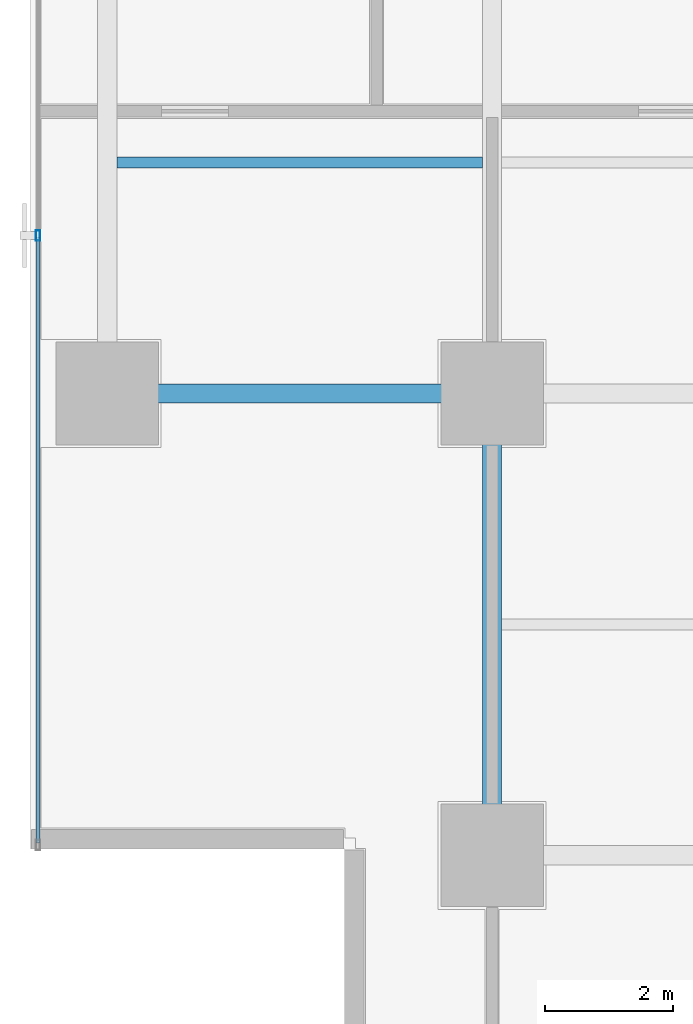
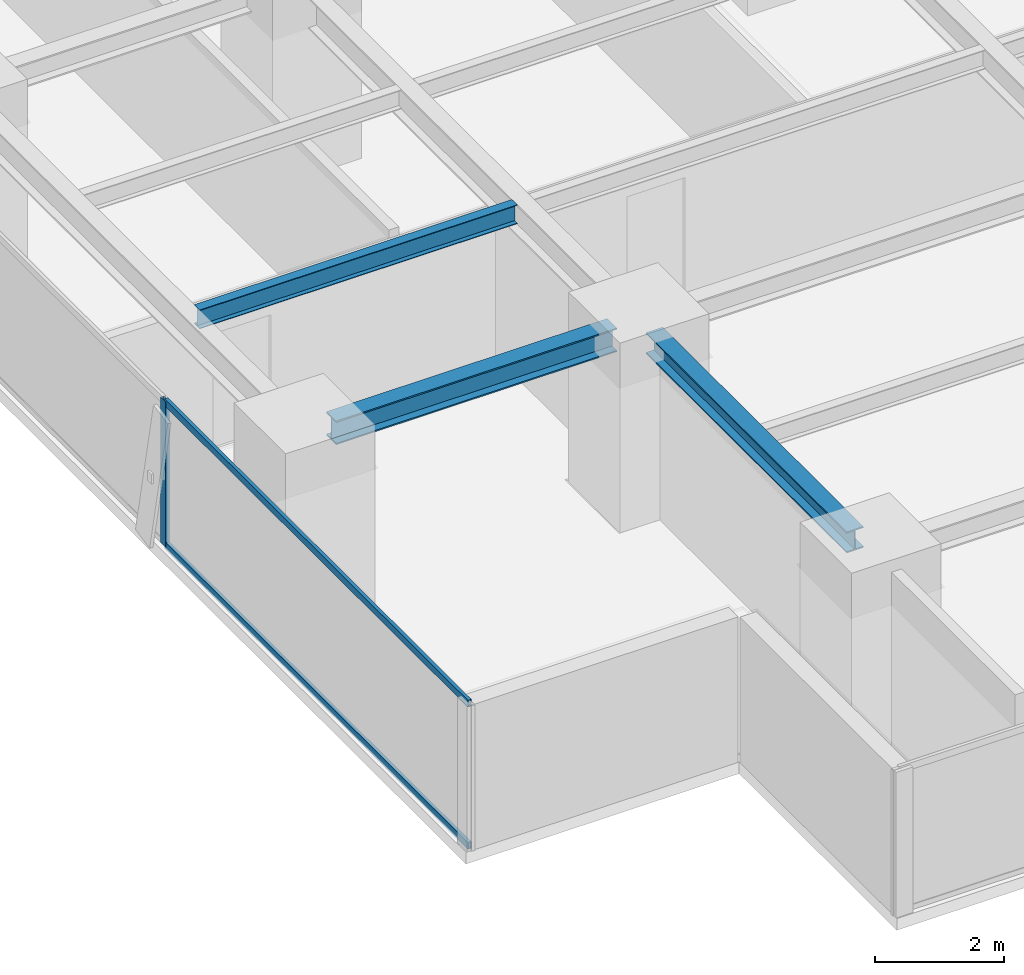
# One storey, part 3 of 28: 3 beams, 3 members, 1 element without a shape of its own.
"""IFC4 building model written with IfcOpenShell, lengths in metres."""

from ifc_helpers import new_model, si_unit, direction, frame, origin, origin_2d, place, context, subcontext, project, spatial, hollow_rectangle, i_section, extrude, source, transform, mapped, material, layer, layer_set, material_profile, profile_set, type_object, element, aggregate, save


model = new_model("IFC4")

# Units and contexts
model_context = context("Model", 3, precision=1e-05, world=origin(), true_north=direction((0.0, 1.0)))
body_context = subcontext(model_context, "Body", "Model", "MODEL_VIEW")
ifc_project = project(units=[si_unit("LENGTHUNIT", "METRE"), si_unit("AREAUNIT", "SQUARE_METRE"), si_unit("VOLUMEUNIT", "CUBIC_METRE"), si_unit("PLANEANGLEUNIT", "RADIAN"), si_unit("MASSUNIT", "GRAM", prefix="KILO")], contexts=[model_context])

# Site, building, storey
site_placement = place(None, origin())
site = spatial("IfcSite", under=ifc_project, at=site_placement, CompositionType="ELEMENT")
building_placement = place(site_placement, origin())
building = spatial("IfcBuilding", under=site, at=building_placement, Name="Sumidabori Civic Tower", CompositionType="ELEMENT")
storey_placement = place(building_placement, frame((0.0, 0.0, 167.60009765625)))
storey = spatial("IfcBuildingStorey", under=building, at=storey_placement, Name="L43", CompositionType="ELEMENT", Elevation=167.60009765625)

# Beams
ifc_material_1 = material(Name="Steel SN490", Category="steel")
ifc_material_profile_1 = material_profile(ifc_material_1, i_section(OverallWidth=0.300048828125, OverallDepth=0.39990234375, WebThickness=0.013427734375, FlangeThickness=0.02392578125, at=origin_2d()), Name="HE 400 B")
ifc_profile_set_1 = profile_set([ifc_material_profile_1], Name="Steel SN490")
beam_type_1 = type_object("IfcBeamType", Name="BM-GIRD-400", PredefinedType="BEAM", material=ifc_profile_set_1)
shared_shape_1 = source(origin(), body_context, "Body", "SweptSolid", [
    extrude(i_section(OverallWidth=0.300048828125, OverallDepth=0.39990234375, WebThickness=0.013427734375, FlangeThickness=0.02392578125, at=origin_2d()), origin(), (0.0, 0.0, 1.0), 6.239990234375),
])
beam_1_placement = place(storey_placement, frame((-16.800048828125, -17.52001953125, 3.179931640625), z_axis=(0.0, 1.0, 0.0), x_axis=(-1.0, 0.0, 0.0)))
element("IfcBeam", 1, at=beam_1_placement, inside=storey, type_object=beam_type_1, Name="Primary Girder L43 GY-22", PredefinedType="BEAM", context=body_context, shape_type="MappedRepresentation", body=[
    mapped(shared_shape_1, transform((0.0, 0.0, 0.0), x_axis=(1.0, 0.0, 0.0), y_axis=(0.0, 1.0, 0.0), z_axis=(0.0, 0.0, 1.0), scale=1.0)),
])
ifc_material_profile_2 = material_profile(ifc_material_1, i_section(OverallWidth=0.169921875, OverallDepth=0.360107421875, WebThickness=0.008056640625, FlangeThickness=0.0126953125, at=origin_2d()), Name="IPE 360")
ifc_profile_set_2 = profile_set([ifc_material_profile_2], Name="Steel SN490")
beam_type_2 = type_object("IfcBeamType", Name="BM-JST-360", PredefinedType="JOIST", material=ifc_profile_set_2)
shared_shape_2 = source(origin(), body_context, "Body", "SweptSolid", [
    extrude(i_section(OverallWidth=0.169921875, OverallDepth=0.360107421875, WebThickness=0.008056640625, FlangeThickness=0.0126953125, at=origin_2d()), origin(), (0.0, 0.0, 1.0), 5.699951171875),
])
beam_2_placement = place(storey_placement, frame((-22.64990234375, -7.199951171875, 3.199951171875), z_axis=(1.0, 0.0, 0.0), x_axis=(0.0, 1.0, 0.0)))
element("IfcBeam", 2, at=beam_2_placement, inside=storey, type_object=beam_type_2, Name="Outer Bay Floor Joist L43 JSTO-39", PredefinedType="JOIST", context=body_context, shape_type="MappedRepresentation", body=[
    mapped(shared_shape_2, transform((0.0, 0.0, 0.0), x_axis=(1.0, 0.0, 0.0), y_axis=(0.0, 1.0, 0.0), z_axis=(0.0, 0.0, 1.0), scale=1.0)),
])
ifc_material_profile_3 = material_profile(ifc_material_1, i_section(OverallWidth=0.300048828125, OverallDepth=0.449951171875, WebThickness=0.013916015625, FlangeThickness=0.02587890625, at=origin_2d()), Name="HE 450 B")
ifc_profile_set_3 = profile_set([ifc_material_profile_3], Name="Steel SN490")
beam_type_3 = type_object("IfcBeamType", Name="BM-GIRD-450", PredefinedType="BEAM", material=ifc_profile_set_3)
shared_shape_3 = source(origin(), body_context, "Body", "SweptSolid", [
    extrude(i_section(OverallWidth=0.300048828125, OverallDepth=0.449951171875, WebThickness=0.013916015625, FlangeThickness=0.02587890625, at=origin_2d()), origin(), (0.0, 0.0, 1.0), 5.0400390625),
])
beam_3_placement = place(storey_placement, frame((-22.320068359375, -10.800048828125, 3.15478515625), z_axis=(1.0, 0.0, 0.0), x_axis=(0.0, 1.0, 0.0)))
element("IfcBeam", 3, at=beam_3_placement, inside=storey, type_object=beam_type_3, Name="Primary Girder L43 GX-05", PredefinedType="BEAM", context=body_context, shape_type="MappedRepresentation", body=[
    mapped(shared_shape_3, transform((0.0, 0.0, 0.0), x_axis=(1.0, 0.0, 0.0), y_axis=(0.0, 1.0, 0.0), z_axis=(0.0, 0.0, 1.0), scale=1.0)),
])

# Curtain wall, members
ifc_material_2 = material(Name="Anodised Bronze Aluminium AW-6063-T6", Category="aluminium")
ifc_layer = layer(ifc_material_2, 0.179931640625, Name="Anodised Bronze Aluminium AW-6063-T6")
ifc_layer_set = layer_set([ifc_layer], Name="Anodised Bronze Aluminium AW-6063-T6")
curtain_wall_type = type_object("IfcCurtainWallType", Name="CW-SYS-3", PredefinedType="NOTDEFINED", material=ifc_layer_set)
curtain_wall_placement = place(storey_placement, origin())
curtain_wall = element("IfcCurtainWall", 4, at=curtain_wall_placement, inside=storey, type_object=curtain_wall_type, Name="Curtain Wall CW:L43:R10", PredefinedType="NOTDEFINED")
ifc_material_profile_4 = material_profile(ifc_material_2, hollow_rectangle(XDim=0.06494140625, YDim=0.159912109375, WallThickness=0.0048828125, at=origin_2d()), Name="ALU MULLION 160x65")
ifc_profile_set_4 = profile_set([ifc_material_profile_4], Name="Anodised Bronze Aluminium AW-6063-T6")
member_type_1 = type_object("IfcMemberType", Name="CW-MUL-160", PredefinedType="MULLION", material=ifc_profile_set_4)
shared_shape_4 = source(origin(), body_context, "Body", "SweptSolid", [
    extrude(hollow_rectangle(XDim=0.06494140625, YDim=0.159912109375, WallThickness=0.0048828125, at=origin_2d()), origin(), (0.0, 0.0, 1.0), 2.760009765625),
])
member_1_placement = place(storey_placement, frame((-23.8798828125, -8.3349609375, 0.0), z_axis=(0.0, 0.0, 1.0), x_axis=(1.0, 0.0, 0.0)))
member_1 = element("IfcMember", 5, at=member_1_placement, type_object=member_type_1, Name="CW-3 mullion 4", PredefinedType="MULLION", context=body_context, shape_type="MappedRepresentation", body=[
    mapped(shared_shape_4, transform((0.0, 0.0, 0.0), x_axis=(1.0, 0.0, 0.0), y_axis=(0.0, 1.0, 0.0), z_axis=(0.0, 0.0, 1.0), scale=1.0)),
])
ifc_material_profile_5 = material_profile(ifc_material_2, hollow_rectangle(XDim=0.06005859375, YDim=0.1298828125, WallThickness=0.0048828125, at=origin_2d()), Name="ALU TRANSOM 130x60")
ifc_profile_set_5 = profile_set([ifc_material_profile_5], Name="Anodised Bronze Aluminium AW-6063-T6")
member_type_2 = type_object("IfcMemberType", Name="CW-TRN-130", PredefinedType="USERDEFINED", material=ifc_profile_set_5)
shared_shape_5 = source(origin(), body_context, "Body", "SweptSolid", [
    extrude(hollow_rectangle(XDim=0.06005859375, YDim=0.1298828125, WallThickness=0.0048828125, at=origin_2d()), origin(), (0.0, 0.0, 1.0), 9.4375),
])
member_2_placement = place(storey_placement, frame((-23.8798828125, -8.367431640625, 0.02978515625), z_axis=(0.0, -1.0, 0.0), x_axis=(1.0, 0.0, 0.0)))
member_2 = element("IfcMember", 6, at=member_2_placement, type_object=member_type_2, Name="CW-3 transom 4.1", ObjectType="TRANSOM", PredefinedType="USERDEFINED", context=body_context, shape_type="MappedRepresentation", body=[
    mapped(shared_shape_5, transform((0.0, 0.0, 0.0), x_axis=(1.0, 0.0, 0.0), y_axis=(0.0, 1.0, 0.0), z_axis=(0.0, 0.0, 1.0), scale=1.0)),
])
member_3_placement = place(storey_placement, frame((-23.8798828125, -8.367431640625, 2.72998046875), z_axis=(0.0, -1.0, 0.0), x_axis=(1.0, 0.0, 0.0)))
member_3 = element("IfcMember", 7, at=member_3_placement, type_object=member_type_2, Name="CW-3 transom 4.2", ObjectType="TRANSOM", PredefinedType="USERDEFINED", context=body_context, shape_type="MappedRepresentation", body=[
    mapped(shared_shape_5, transform((0.0, 0.0, 0.0), x_axis=(1.0, 0.0, 0.0), y_axis=(0.0, 1.0, 0.0), z_axis=(0.0, 0.0, 1.0), scale=1.0)),
])
aggregate(curtain_wall, [member_1, member_2, member_3])

save(model, "model.ifc")
